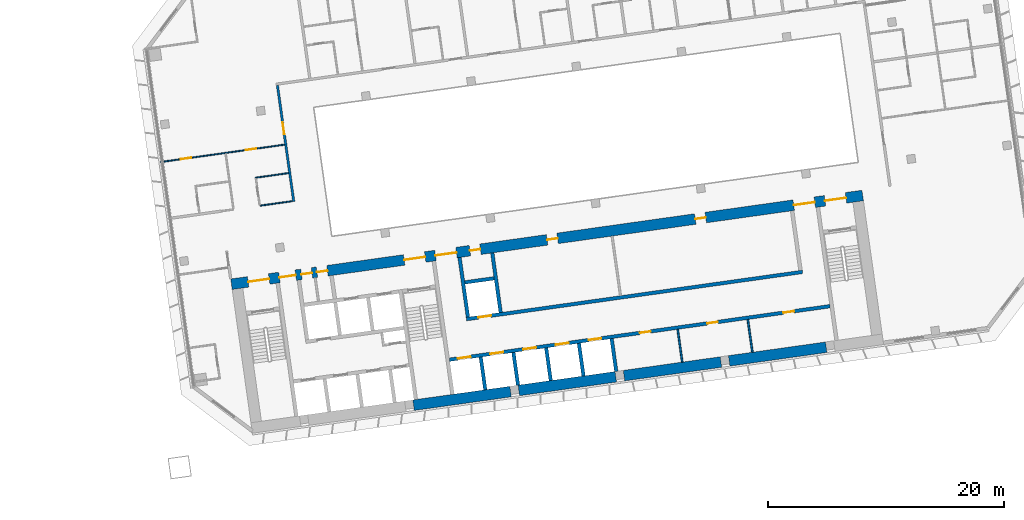
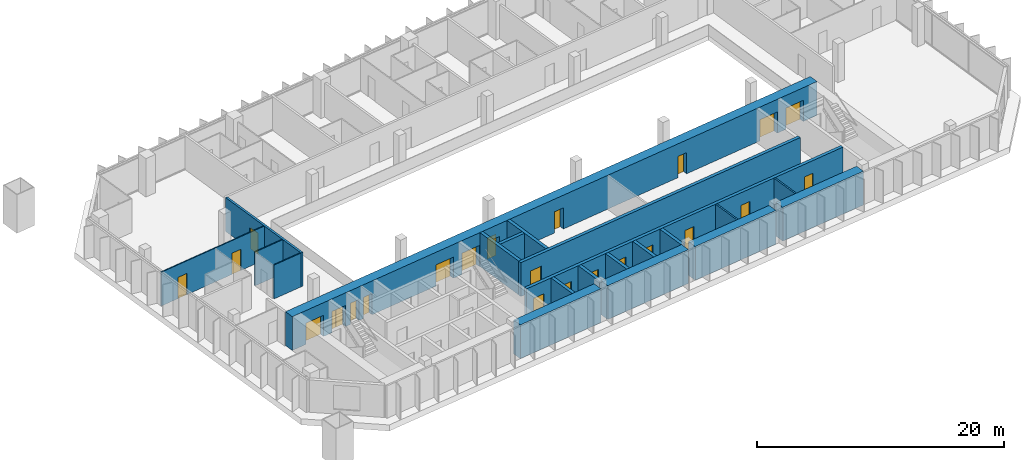
# One storey, part 20 of 25: 23 doors, 21 walls, 23 openings.
"""IFC4 building model written with IfcOpenShell, lengths in metres."""

from ifc_helpers import new_model, si_unit, direction, frame, frame_2d, origin, place, context, subcontext, project, spatial, rectangle, extrude, material, layer, layer_set, type_object, element, fill, save


model = new_model("IFC4")

# Units and contexts
model_context = context("Model", 3, precision=1e-05, world=origin(), true_north=direction((0.0, 1.0)))
body_context = subcontext(model_context, "Body", "Model", "MODEL_VIEW")
ifc_project = project(units=[si_unit("LENGTHUNIT", "METRE"), si_unit("AREAUNIT", "SQUARE_METRE"), si_unit("VOLUMEUNIT", "CUBIC_METRE"), si_unit("PLANEANGLEUNIT", "RADIAN"), si_unit("MASSUNIT", "GRAM", prefix="KILO")], contexts=[model_context])

# Site, building, storey
site_placement = place(None, origin())
site = spatial("IfcSite", under=ifc_project, at=site_placement, CompositionType="ELEMENT")
building_placement = place(site_placement, origin())
building = spatial("IfcBuilding", under=site, at=building_placement, Name="Mirante Cascada Hotel Towers", CompositionType="ELEMENT")
storey_placement = place(building_placement, frame((0.0, 0.0, 54.7)))
storey = spatial("IfcBuildingStorey", under=building, at=storey_placement, Name="L10", CompositionType="ELEMENT", Elevation=54.7)

# Wall, opening, door
ifc_material_1 = material(Name="Fire-rated plasterboard on metal studs")
ifc_layer_1 = layer(ifc_material_1, 0.2)
ifc_layer_set_1 = layer_set([ifc_layer_1], Name="Compartment wall 200 EI 120")
wall_type_1 = type_object("IfcWallType", Name="Compartment wall 200 EI 120", PredefinedType="PARTITIONING", material=ifc_layer_set_1)
wall_1_placement = place(storey_placement, frame((40.6028, -0.5604, 0.0), z_axis=(0.0, 0.0, 1.0), x_axis=(-0.1391655, 0.9902691, 0.0)))
wall_1 = element("IfcWall", 1, at=wall_1_placement, inside=storey, type_object=wall_type_1, Name="Wall 2-L10-37", PredefinedType="PARTITIONING", context=body_context, shape_type="SweptSolid", body=[
    extrude(rectangle(XDim=9.95, YDim=0.2, at=frame_2d((4.975, 0.0))), origin(), (0.0, 0.0, 1.0), 3.35),
])
opening_1_placement = place(wall_1_placement, frame((5.7666, 0.0, 0.0)))
opening_1 = element("IfcOpeningElement", 2, at=opening_1_placement, cuts=wall_1, Name="Opening D2-L10-31", PredefinedType="OPENING", context=body_context, shape_type="SweptSolid", body=[
    extrude(rectangle(XDim=1.0, YDim=2.1, at=frame_2d((0.5, 1.05))), frame((0.0, 0.1, 0.0), z_axis=(0.0, -1.0, 0.0), x_axis=(1.0, 0.0, 0.0)), (0.0, 0.0, 1.0), 0.2),
])
ifc_material_2 = material(Name="Fire-rated timber door leaf", Category="wood")
door_type_1 = type_object("IfcDoorType", Name="Entrance door DG1 1000x2100 EI 60", OperationType="SINGLE_SWING_LEFT", PredefinedType="DOOR", material=ifc_material_2)
door_1_placement = place(opening_1_placement, origin())
door_1 = element("IfcDoor", 3, at=door_1_placement, inside=storey, type_object=door_type_1, Name="Door D2-L10-31", OperationType="SINGLE_SWING_LEFT", OverallHeight=2.1, OverallWidth=1.0, PredefinedType="DOOR", context=body_context, shape_type="SweptSolid", body=[
    extrude(rectangle(XDim=1.0, YDim=2.1, at=frame_2d((0.5, 1.05))), frame((0.0, 0.025, 0.0), z_axis=(0.0, -1.0, 0.0), x_axis=(1.0, 0.0, 0.0)), (0.0, 0.0, 1.0), 0.05),
])
fill(opening_1, door_1)

# Walls
ifc_material_3 = material(Name="Masonry block", Category="masonry")
ifc_layer_2 = layer(ifc_material_3, 0.15)
ifc_layer_set_2 = layer_set([ifc_layer_2], Name="Core room partition 150 block EI 30")
wall_type_2 = type_object("IfcWallType", Name="Core room partition 150 block EI 30", PredefinedType="PARTITIONING", material=ifc_layer_set_2)
wall_2_placement = place(storey_placement, frame((73.5161, -14.1621, 0.0), z_axis=(0.0, 0.0, 1.0), x_axis=(-0.139176, 0.9902677, 0.0)))
element("IfcWall", 4, at=wall_2_placement, inside=storey, type_object=wall_type_2, Name="Core wall partition T2 L10 5", PredefinedType="PARTITIONING", context=body_context, shape_type="SweptSolid", body=[
    extrude(rectangle(XDim=2.8001, YDim=0.15, at=frame_2d((1.4, 0.0))), origin(), (0.0, 0.0, 1.0), 3.35),
])
wall_3_placement = place(storey_placement, frame((79.4577, -13.327, 0.0), z_axis=(0.0, 0.0, 1.0), x_axis=(-0.1391459, 0.9902719, 0.0)))
element("IfcWall", 5, at=wall_3_placement, inside=storey, type_object=wall_type_2, Name="Core wall partition T2 L10 6", PredefinedType="PARTITIONING", context=body_context, shape_type="SweptSolid", body=[
    extrude(rectangle(XDim=2.7999, YDim=0.15, at=frame_2d((1.4, 0.0))), origin(), (0.0, 0.0, 1.0), 3.35),
])
ifc_material_4 = material(Name="Plasterboard on metal studs")
ifc_layer_3 = layer(ifc_material_4, 0.1)
ifc_layer_set_3 = layer_set([ifc_layer_3], Name="Partition 100")
wall_type_3 = type_object("IfcWallType", Name="Partition 100", PredefinedType="PARTITIONING", material=ifc_layer_set_3)
wall_4_placement = place(storey_placement, frame((40.4671, -0.5289, 0.0), z_axis=(0.0, 0.0, 1.0), x_axis=(-0.9902645, -0.1391984, 0.0)))
element("IfcWall", 6, at=wall_4_placement, inside=storey, type_object=wall_type_3, Name="Wall 2-L10-06", PredefinedType="PARTITIONING", context=body_context, shape_type="SweptSolid", body=[
    extrude(rectangle(XDim=2.74, YDim=0.1, at=frame_2d((1.37, 0.0))), origin(), (0.0, 0.0, 1.0), 3.35),
])
wall_5_placement = place(storey_placement, frame((37.3406, 1.4552, 0.0), z_axis=(0.0, 0.0, 1.0), x_axis=(0.9902649, 0.1391957, 0.0)))
element("IfcWall", 7, at=wall_5_placement, inside=storey, type_object=wall_type_3, Name="Wall 2-L10-09", PredefinedType="PARTITIONING", context=body_context, shape_type="SweptSolid", body=[
    extrude(rectangle(XDim=2.8499, YDim=0.1, at=frame_2d((1.425, 0.0))), origin(), (0.0, 0.0, 1.0), 3.35),
])

# Wall, openings, doors
wall_6_placement = place(storey_placement, frame((39.8242, 4.2615, 0.0), z_axis=(0.0, 0.0, 1.0), x_axis=(-0.9902686, -0.1391691, 0.0)))
wall_6 = element("IfcWall", 8, at=wall_6_placement, inside=storey, type_object=wall_type_3, Name="Wall 2-L10-12", PredefinedType="PARTITIONING", context=body_context, shape_type="SweptSolid", body=[
    extrude(rectangle(XDim=10.6001, YDim=0.1, at=frame_2d((5.3, 0.0))), origin(), (0.0, 0.0, 1.0), 3.35),
])
opening_2_placement = place(wall_6_placement, frame((7.975, 0.0, 0.0)))
opening_2 = element("IfcOpeningElement", 9, at=opening_2_placement, cuts=wall_6, Name="Opening D2-L10-04", PredefinedType="OPENING", context=body_context, shape_type="SweptSolid", body=[
    extrude(rectangle(XDim=0.9, YDim=2.1, at=frame_2d((0.45, 1.05))), frame((0.0, 0.05, 0.0), z_axis=(0.0, -1.0, 0.0), x_axis=(1.0, 0.0, 0.0)), (0.0, 0.0, 1.0), 0.1),
])
opening_3_placement = place(wall_6_placement, frame((2.425, 0.0, 0.0)))
opening_3 = element("IfcOpeningElement", 10, at=opening_3_placement, cuts=wall_6, Name="Opening D2-L10-05", PredefinedType="OPENING", context=body_context, shape_type="SweptSolid", body=[
    extrude(rectangle(XDim=0.9, YDim=2.1, at=frame_2d((0.45, 1.05))), frame((0.0, 0.05, 0.0), z_axis=(0.0, -1.0, 0.0), x_axis=(1.0, 0.0, 0.0)), (0.0, 0.0, 1.0), 0.1),
])
ifc_material_5 = material(Name="Timber door leaf", Category="wood")
door_type_2 = type_object("IfcDoorType", Name="Room door DG3 900x2100", OperationType="SINGLE_SWING_LEFT", PredefinedType="DOOR", material=ifc_material_5)
door_2_placement = place(opening_2_placement, frame((0.9, 0.0, 0.0), z_axis=(0.0, 0.0, 1.0), x_axis=(-1.0, 0.0, 0.0)))
door_2 = element("IfcDoor", 11, at=door_2_placement, inside=storey, type_object=door_type_2, Name="Door D2-L10-04", OperationType="SINGLE_SWING_RIGHT", OverallHeight=2.1, OverallWidth=0.9, PredefinedType="DOOR", context=body_context, shape_type="SweptSolid", body=[
    extrude(rectangle(XDim=0.9, YDim=2.1, at=frame_2d((0.45, 1.05))), frame((0.0, 0.025, 0.0), z_axis=(0.0, -1.0, 0.0), x_axis=(1.0, 0.0, 0.0)), (0.0, 0.0, 1.0), 0.05),
])
fill(opening_2, door_2)
door_3_placement = place(opening_3_placement, frame((0.9, 0.0, 0.0), z_axis=(0.0, 0.0, 1.0), x_axis=(-1.0, 0.0, 0.0)))
door_3 = element("IfcDoor", 12, at=door_3_placement, inside=storey, type_object=door_type_2, Name="Door D2-L10-05", OperationType="SINGLE_SWING_RIGHT", OverallHeight=2.1, OverallWidth=0.9, PredefinedType="DOOR", context=body_context, shape_type="SweptSolid", body=[
    extrude(rectangle(XDim=0.9, YDim=2.1, at=frame_2d((0.45, 1.05))), frame((0.0, 0.025, 0.0), z_axis=(0.0, -1.0, 0.0), x_axis=(1.0, 0.0, 0.0)), (0.0, 0.0, 1.0), 0.05),
])
fill(opening_3, door_3)

ifc_material_6 = material(Name="Concrete C50/60", Category="concrete")
ifc_layer_4 = layer(ifc_material_6, 0.3)
ifc_layer_set_4 = layer_set([ifc_layer_4], Name="RC core wall 300 C50/60")
wall_type_4 = type_object("IfcWallType", Name="RC core wall 300 C50/60", PredefinedType="SHEAR", material=ifc_layer_set_4)
wall_7_placement = place(storey_placement, frame((53.7953, -13.9547, 0.0), z_axis=(0.0, 0.0, 1.0), x_axis=(0.990268, 0.1391733, 0.0)))
wall_7 = element("IfcWall", 13, at=wall_7_placement, inside=storey, type_object=wall_type_4, Name="Core wall T2:L10:25", PredefinedType="SHEAR", context=body_context, shape_type="SweptSolid", body=[
    extrude(rectangle(XDim=32.5501, YDim=0.3, at=frame_2d((16.275, 0.0))), origin(), (0.0, 0.0, 1.0), 3.35),
])
opening_4_placement = place(wall_7_placement, frame((0.7, 0.0, 0.0)))
opening_4 = element("IfcOpeningElement", 14, at=opening_4_placement, cuts=wall_7, Name="Opening LD", PredefinedType="OPENING", context=body_context, shape_type="SweptSolid", body=[
    extrude(rectangle(XDim=1.1, YDim=2.1, at=frame_2d((0.55, 1.05))), frame((0.0, 0.15, 0.0), z_axis=(0.0, -1.0, 0.0), x_axis=(1.0, 0.0, 0.0)), (0.0, 0.0, 1.0), 0.3),
])
opening_5_placement = place(wall_7_placement, frame((3.5, 0.0, 0.0)))
opening_5 = element("IfcOpeningElement", 15, at=opening_5_placement, cuts=wall_7, Name="Opening LD", PredefinedType="OPENING", context=body_context, shape_type="SweptSolid", body=[
    extrude(rectangle(XDim=1.1, YDim=2.1, at=frame_2d((0.55, 1.05))), frame((0.0, 0.15, 0.0), z_axis=(0.0, -1.0, 0.0), x_axis=(1.0, 0.0, 0.0)), (0.0, 0.0, 1.0), 0.3),
])
opening_6_placement = place(wall_7_placement, frame((6.3, 0.0, 0.0)))
opening_6 = element("IfcOpeningElement", 16, at=opening_6_placement, cuts=wall_7, Name="Opening LD", PredefinedType="OPENING", context=body_context, shape_type="SweptSolid", body=[
    extrude(rectangle(XDim=1.1, YDim=2.1, at=frame_2d((0.55, 1.05))), frame((0.0, 0.15, 0.0), z_axis=(0.0, -1.0, 0.0), x_axis=(1.0, 0.0, 0.0)), (0.0, 0.0, 1.0), 0.3),
])
opening_7_placement = place(wall_7_placement, frame((9.1, 0.0, 0.0)))
opening_7 = element("IfcOpeningElement", 17, at=opening_7_placement, cuts=wall_7, Name="Opening LD", PredefinedType="OPENING", context=body_context, shape_type="SweptSolid", body=[
    extrude(rectangle(XDim=1.1, YDim=2.1, at=frame_2d((0.55, 1.05))), frame((0.0, 0.15, 0.0), z_axis=(0.0, -1.0, 0.0), x_axis=(1.0, 0.0, 0.0)), (0.0, 0.0, 1.0), 0.3),
])
opening_8_placement = place(wall_7_placement, frame((11.9, 0.0, 0.0)))
opening_8 = element("IfcOpeningElement", 18, at=opening_8_placement, cuts=wall_7, Name="Opening LD", PredefinedType="OPENING", context=body_context, shape_type="SweptSolid", body=[
    extrude(rectangle(XDim=1.1, YDim=2.1, at=frame_2d((0.55, 1.05))), frame((0.0, 0.15, 0.0), z_axis=(0.0, -1.0, 0.0), x_axis=(1.0, 0.0, 0.0)), (0.0, 0.0, 1.0), 0.3),
])
opening_9_placement = place(wall_7_placement, frame((16.3, 0.0, 0.0)))
opening_9 = element("IfcOpeningElement", 19, at=opening_9_placement, cuts=wall_7, Name="Opening D2-10-C26", PredefinedType="OPENING", context=body_context, shape_type="SweptSolid", body=[
    extrude(rectangle(XDim=0.9, YDim=2.1, at=frame_2d((0.45, 1.05))), frame((0.0, 0.15, 0.0), z_axis=(0.0, -1.0, 0.0), x_axis=(1.0, 0.0, 0.0)), (0.0, 0.0, 1.0), 0.3),
])
opening_10_placement = place(wall_7_placement, frame((22.05, 0.0, 0.0)))
opening_10 = element("IfcOpeningElement", 20, at=opening_10_placement, cuts=wall_7, Name="Opening D2-10-C27", PredefinedType="OPENING", context=body_context, shape_type="SweptSolid", body=[
    extrude(rectangle(XDim=0.9, YDim=2.1, at=frame_2d((0.45, 1.05))), frame((0.0, 0.15, 0.0), z_axis=(0.0, -1.0, 0.0), x_axis=(1.0, 0.0, 0.0)), (0.0, 0.0, 1.0), 0.3),
])
opening_11_placement = place(wall_7_placement, frame((28.575, 0.0, 0.0)))
opening_11 = element("IfcOpeningElement", 21, at=opening_11_placement, cuts=wall_7, Name="Opening D2-10-C28", PredefinedType="OPENING", context=body_context, shape_type="SweptSolid", body=[
    extrude(rectangle(XDim=0.9, YDim=2.1, at=frame_2d((0.45, 1.05))), frame((0.0, 0.15, 0.0), z_axis=(0.0, -1.0, 0.0), x_axis=(1.0, 0.0, 0.0)), (0.0, 0.0, 1.0), 0.3),
])
ifc_material_7 = material(Name="Hollow metal fire door leaf")
door_type_3 = type_object("IfcDoorType", Name="Fire door 900x2100 FD60", OperationType="NOTDEFINED", PredefinedType="DOOR", material=ifc_material_7)
door_4_placement = place(opening_9_placement, frame((0.9, 0.0, 0.0), z_axis=(0.0, 0.0, 1.0), x_axis=(-1.0, 0.0, 0.0)))
door_4 = element("IfcDoor", 22, at=door_4_placement, inside=storey, type_object=door_type_3, Name="Room door T2 L10 26", OperationType="SINGLE_SWING_LEFT", OverallHeight=2.1, OverallWidth=0.9, PredefinedType="DOOR", context=body_context, shape_type="SweptSolid", body=[
    extrude(rectangle(XDim=0.9, YDim=2.1, at=frame_2d((0.45, 1.05))), frame((0.0, 0.025, 0.0), z_axis=(0.0, -1.0, 0.0), x_axis=(1.0, 0.0, 0.0)), (0.0, 0.0, 1.0), 0.05),
])
fill(opening_9, door_4)
door_5_placement = place(opening_10_placement, frame((0.9, 0.0, 0.0), z_axis=(0.0, 0.0, 1.0), x_axis=(-1.0, 0.0, 0.0)))
door_5 = element("IfcDoor", 23, at=door_5_placement, inside=storey, type_object=door_type_3, Name="Room door T2 L10 27", OperationType="SINGLE_SWING_RIGHT", OverallHeight=2.1, OverallWidth=0.9, PredefinedType="DOOR", context=body_context, shape_type="SweptSolid", body=[
    extrude(rectangle(XDim=0.9, YDim=2.1, at=frame_2d((0.45, 1.05))), frame((0.0, 0.025, 0.0), z_axis=(0.0, -1.0, 0.0), x_axis=(1.0, 0.0, 0.0)), (0.0, 0.0, 1.0), 0.05),
])
fill(opening_10, door_5)
door_6_placement = place(opening_11_placement, frame((0.9, 0.0, 0.0), z_axis=(0.0, 0.0, 1.0), x_axis=(-1.0, 0.0, 0.0)))
door_6 = element("IfcDoor", 24, at=door_6_placement, inside=storey, type_object=door_type_3, Name="Room door T2 L10 28", OperationType="SINGLE_SWING_RIGHT", OverallHeight=2.1, OverallWidth=0.9, PredefinedType="DOOR", context=body_context, shape_type="SweptSolid", body=[
    extrude(rectangle(XDim=0.9, YDim=2.1, at=frame_2d((0.45, 1.05))), frame((0.0, 0.025, 0.0), z_axis=(0.0, -1.0, 0.0), x_axis=(1.0, 0.0, 0.0)), (0.0, 0.0, 1.0), 0.05),
])
fill(opening_11, door_6)
ifc_material_8 = material(Name="Stainless steel", Category="steel")
door_type_4 = type_object("IfcDoorType", Name="Lift landing door 1100x2100 EI 120", OperationType="DOUBLE_DOOR_SLIDING", PredefinedType="DOOR", material=ifc_material_8)
door_7_placement = place(opening_4_placement, origin())
door_7 = element("IfcDoor", 25, at=door_7_placement, inside=storey, type_object=door_type_4, Name="Lift landing door LR2-1 L10", OperationType="DOUBLE_DOOR_SLIDING", OverallHeight=2.1, OverallWidth=1.1, PredefinedType="DOOR", context=body_context, shape_type="SweptSolid", body=[
    extrude(rectangle(XDim=0.545, YDim=2.1, at=frame_2d((0.2725, 1.05))), frame((0.0, 0.025, 0.0), z_axis=(0.0, -1.0, 0.0), x_axis=(1.0, 0.0, 0.0)), (0.0, 0.0, 1.0), 0.05),
    extrude(rectangle(XDim=0.545, YDim=2.1, at=frame_2d((0.8275, 1.05))), frame((0.0, 0.025, 0.0), z_axis=(0.0, -1.0, 0.0), x_axis=(1.0, 0.0, 0.0)), (0.0, 0.0, 1.0), 0.05),
])
fill(opening_4, door_7)
door_8_placement = place(opening_5_placement, origin())
door_8 = element("IfcDoor", 26, at=door_8_placement, inside=storey, type_object=door_type_4, Name="Lift landing door LR2-2 L10", OperationType="DOUBLE_DOOR_SLIDING", OverallHeight=2.1, OverallWidth=1.1, PredefinedType="DOOR", context=body_context, shape_type="SweptSolid", body=[
    extrude(rectangle(XDim=0.545, YDim=2.1, at=frame_2d((0.2725, 1.05))), frame((0.0, 0.025, 0.0), z_axis=(0.0, -1.0, 0.0), x_axis=(1.0, 0.0, 0.0)), (0.0, 0.0, 1.0), 0.05),
    extrude(rectangle(XDim=0.545, YDim=2.1, at=frame_2d((0.8275, 1.05))), frame((0.0, 0.025, 0.0), z_axis=(0.0, -1.0, 0.0), x_axis=(1.0, 0.0, 0.0)), (0.0, 0.0, 1.0), 0.05),
])
fill(opening_5, door_8)
door_9_placement = place(opening_6_placement, origin())
door_9 = element("IfcDoor", 27, at=door_9_placement, inside=storey, type_object=door_type_4, Name="Lift landing door SV2-1 L10", OperationType="DOUBLE_DOOR_SLIDING", OverallHeight=2.1, OverallWidth=1.1, PredefinedType="DOOR", context=body_context, shape_type="SweptSolid", body=[
    extrude(rectangle(XDim=0.545, YDim=2.1, at=frame_2d((0.2725, 1.05))), frame((0.0, 0.025, 0.0), z_axis=(0.0, -1.0, 0.0), x_axis=(1.0, 0.0, 0.0)), (0.0, 0.0, 1.0), 0.05),
    extrude(rectangle(XDim=0.545, YDim=2.1, at=frame_2d((0.8275, 1.05))), frame((0.0, 0.025, 0.0), z_axis=(0.0, -1.0, 0.0), x_axis=(1.0, 0.0, 0.0)), (0.0, 0.0, 1.0), 0.05),
])
fill(opening_6, door_9)
door_10_placement = place(opening_7_placement, origin())
door_10 = element("IfcDoor", 28, at=door_10_placement, inside=storey, type_object=door_type_4, Name="Lift landing door SV2-2 L10", OperationType="DOUBLE_DOOR_SLIDING", OverallHeight=2.1, OverallWidth=1.1, PredefinedType="DOOR", context=body_context, shape_type="SweptSolid", body=[
    extrude(rectangle(XDim=0.545, YDim=2.1, at=frame_2d((0.2725, 1.05))), frame((0.0, 0.025, 0.0), z_axis=(0.0, -1.0, 0.0), x_axis=(1.0, 0.0, 0.0)), (0.0, 0.0, 1.0), 0.05),
    extrude(rectangle(XDim=0.545, YDim=2.1, at=frame_2d((0.8275, 1.05))), frame((0.0, 0.025, 0.0), z_axis=(0.0, -1.0, 0.0), x_axis=(1.0, 0.0, 0.0)), (0.0, 0.0, 1.0), 0.05),
])
fill(opening_7, door_10)
door_11_placement = place(opening_8_placement, origin())
door_11 = element("IfcDoor", 29, at=door_11_placement, inside=storey, type_object=door_type_4, Name="Lift landing door SV2-3 L10", OperationType="DOUBLE_DOOR_SLIDING", OverallHeight=2.1, OverallWidth=1.1, PredefinedType="DOOR", context=body_context, shape_type="SweptSolid", body=[
    extrude(rectangle(XDim=0.545, YDim=2.1, at=frame_2d((0.2725, 1.05))), frame((0.0, 0.025, 0.0), z_axis=(0.0, -1.0, 0.0), x_axis=(1.0, 0.0, 0.0)), (0.0, 0.0, 1.0), 0.05),
    extrude(rectangle(XDim=0.545, YDim=2.1, at=frame_2d((0.8275, 1.05))), frame((0.0, 0.025, 0.0), z_axis=(0.0, -1.0, 0.0), x_axis=(1.0, 0.0, 0.0)), (0.0, 0.0, 1.0), 0.05),
])
fill(opening_8, door_11)

# Walls
for number, where, z_axis, x_axis, name in (
    (30, (56.8301, -16.5072, 0.0), (0.0, 0.0, 1.0), (-0.139176, 0.9902677, 0.0), "Core wall T2:L10:26"),
    (31, (59.6029, -16.1175, 0.0), (0.0, 0.0, 1.0), (-0.139176, 0.9902677, 0.0), "Core wall T2:L10:27"),
    (32, (62.3756, -15.7278, 0.0), (0.0, 0.0, 1.0), (-0.139176, 0.9902677, 0.0), "Core wall T2:L10:28"),
    (33, (65.1484, -15.3381, 0.0), (0.0, 0.0, 1.0), (-0.139176, 0.9902677, 0.0), "Core wall T2:L10:29"),
):
    element("IfcWall", number, at=place(storey_placement, frame(where, z_axis=z_axis, x_axis=x_axis)), inside=storey, type_object=wall_type_4, Name=name, PredefinedType="SHEAR", context=body_context, shape_type="SweptSolid", body=[
        extrude(rectangle(XDim=2.8001, YDim=0.3, at=frame_2d((1.4, 0.0))), origin(), (0.0, 0.0, 1.0), 3.35),
    ])
wall_8_placement = place(storey_placement, frame((67.9211, -14.9484, 0.0), z_axis=(0.0, 0.0, 1.0), x_axis=(-0.139181, 0.990267, 0.0)))
element("IfcWall", 34, at=wall_8_placement, inside=storey, type_object=wall_type_4, Name="Core wall T2:L10:30", PredefinedType="SHEAR", context=body_context, shape_type="SweptSolid", body=[
    extrude(rectangle(XDim=2.8, YDim=0.3, at=frame_2d((1.4, 0.0))), origin(), (0.0, 0.0, 1.0), 3.35),
])

# Wall, opening, door
wall_9_placement = place(storey_placement, frame((55.2315, -10.5214, 0.0), z_axis=(0.0, 0.0, 1.0), x_axis=(0.9902682, 0.1391722, 0.0)))
wall_9 = element("IfcWall", 35, at=wall_9_placement, inside=storey, type_object=wall_type_4, Name="Core wall T2:L10:33", PredefinedType="SHEAR", context=body_context, shape_type="SweptSolid", body=[
    extrude(rectangle(XDim=28.75, YDim=0.3, at=frame_2d((14.375, 0.0))), origin(), (0.0, 0.0, 1.0), 3.35),
])
opening_12_placement = place(wall_9_placement, frame((1.0, 0.0, 0.0)))
opening_12 = element("IfcOpeningElement", 36, at=opening_12_placement, cuts=wall_9, Name="Opening LD", PredefinedType="OPENING", context=body_context, shape_type="SweptSolid", body=[
    extrude(rectangle(XDim=1.1, YDim=2.1, at=frame_2d((0.55, 1.05))), frame((0.0, 0.15, 0.0), z_axis=(0.0, -1.0, 0.0), x_axis=(1.0, 0.0, 0.0)), (0.0, 0.0, 1.0), 0.3),
])
door_12_placement = place(opening_12_placement, origin())
door_12 = element("IfcDoor", 37, at=door_12_placement, inside=storey, type_object=door_type_4, Name="Lift landing door LR2-3 L10", OperationType="DOUBLE_DOOR_SLIDING", OverallHeight=2.1, OverallWidth=1.1, PredefinedType="DOOR", context=body_context, shape_type="SweptSolid", body=[
    extrude(rectangle(XDim=0.545, YDim=2.1, at=frame_2d((0.2725, 1.05))), frame((0.0, 0.025, 0.0), z_axis=(0.0, -1.0, 0.0), x_axis=(1.0, 0.0, 0.0)), (0.0, 0.0, 1.0), 0.05),
    extrude(rectangle(XDim=0.545, YDim=2.1, at=frame_2d((0.8275, 1.05))), frame((0.0, 0.025, 0.0), z_axis=(0.0, -1.0, 0.0), x_axis=(1.0, 0.0, 0.0)), (0.0, 0.0, 1.0), 0.05),
])
fill(opening_12, door_12)

# Walls
for number, where, z_axis, x_axis, name in (
    (38, (55.3592, -10.352, 0.0), (0.0, 0.0, 1.0), (-0.1391755, 0.9902677, 0.0), "Core wall T2:L10:34"),
    (39, (58.1319, -9.9623, 0.0), (0.0, 0.0, 1.0), (-0.1391755, 0.9902677, 0.0), "Core wall T2:L10:36"),
):
    element("IfcWall", number, at=place(storey_placement, frame(where, z_axis=z_axis, x_axis=x_axis)), inside=storey, type_object=wall_type_4, Name=name, PredefinedType="SHEAR", context=body_context, shape_type="SweptSolid", body=[
        extrude(rectangle(XDim=5.1, YDim=0.3, at=frame_2d((2.55, 0.0))), origin(), (0.0, 0.0, 1.0), 3.35),
    ])
wall_10_placement = place(storey_placement, frame((55.0971, -7.4098, 0.0), z_axis=(0.0, 0.0, 1.0), x_axis=(0.9902701, 0.1391586, 0.0)))
element("IfcWall", 40, at=wall_10_placement, inside=storey, type_object=wall_type_4, Name="Core wall T2:L10:37", PredefinedType="SHEAR", context=body_context, shape_type="SweptSolid", body=[
    extrude(rectangle(XDim=2.5, YDim=0.3, at=frame_2d((1.25, 0.0))), origin(), (0.0, 0.0, 1.0), 3.35),
])
ifc_material_9 = material(Name="Concrete C50/60", Category="concrete")
ifc_layer_5 = layer(ifc_material_9, 0.9)
ifc_layer_set_5 = layer_set([ifc_layer_5], Name="RC core wall 900 C50/60")
wall_type_5 = type_object("IfcWallType", Name="RC core wall 900 C50/60", PredefinedType="SHEAR", material=ifc_layer_set_5)
for number, where, z_axis, x_axis, name in (
    (41, (50.7531, -17.8156, 0.0), (0.0, 0.0, 1.0), (0.9902686, 0.1391692, 0.0), "Core wall T2:L10:1.3"),
    (42, (59.6655, -16.5631, 0.0), (0.0, 0.0, 1.0), (0.9902686, 0.1391692, 0.0), "Core wall T2:L10:1.4"),
    (43, (68.5779, -15.3105, 0.0), (0.0, 0.0, 1.0), (0.9902686, 0.1391692, 0.0), "Core wall T2:L10:1.5"),
    (44, (77.4903, -14.058, 0.0), (0.0, 0.0, 1.0), (0.990267, 0.139181, 0.0), "Core wall T2:L10:1.6"),
):
    element("IfcWall", number, at=place(storey_placement, frame(where, z_axis=z_axis, x_axis=x_axis)), inside=storey, type_object=wall_type_5, Name=name, PredefinedType="SHEAR", context=body_context, shape_type="SweptSolid", body=[
        extrude(rectangle(XDim=8.3, YDim=0.9, at=frame_2d((4.15, 0.0))), origin(), (0.0, 0.0, 1.0), 3.35),
    ])

# Wall, openings, doors
wall_11_placement = place(storey_placement, frame((35.326, -7.5629, 0.0), z_axis=(0.0, 0.0, 1.0), x_axis=(0.9902679, 0.139174, 0.0)))
wall_11 = element("IfcWall", 45, at=wall_11_placement, inside=storey, type_object=wall_type_5, Name="Core wall T2:L10:2", PredefinedType="SHEAR", context=body_context, shape_type="SweptSolid", body=[
    extrude(rectangle(XDim=54.0, YDim=0.9, at=frame_2d((27.0, 0.0))), origin(), (0.0, 0.0, 1.0), 3.35),
])
opening_13_placement = place(wall_11_placement, frame((1.425, 0.0, 0.0)))
opening_13 = element("IfcOpeningElement", 46, at=opening_13_placement, cuts=wall_11, Name="Opening D2-10-C14", PredefinedType="OPENING", context=body_context, shape_type="SweptSolid", body=[
    extrude(rectangle(XDim=1.8, YDim=2.1, at=frame_2d((0.9, 1.05))), frame((0.0, 0.45, 0.0), z_axis=(0.0, -1.0, 0.0), x_axis=(1.0, 0.0, 0.0)), (0.0, 0.0, 1.0), 0.9),
])
opening_14_placement = place(wall_11_placement, frame((14.775, 0.0, 0.0)))
opening_14 = element("IfcOpeningElement", 47, at=opening_14_placement, cuts=wall_11, Name="Opening D2-10-C16", PredefinedType="OPENING", context=body_context, shape_type="SweptSolid", body=[
    extrude(rectangle(XDim=1.8, YDim=2.1, at=frame_2d((0.9, 1.05))), frame((0.0, 0.45, 0.0), z_axis=(0.0, -1.0, 0.0), x_axis=(1.0, 0.0, 0.0)), (0.0, 0.0, 1.0), 0.9),
])
opening_15_placement = place(wall_11_placement, frame((50.775, 0.0, 0.0)))
opening_15 = element("IfcOpeningElement", 48, at=opening_15_placement, cuts=wall_11, Name="Opening D2-10-C18", PredefinedType="OPENING", context=body_context, shape_type="SweptSolid", body=[
    extrude(rectangle(XDim=1.8, YDim=2.1, at=frame_2d((0.9, 1.05))), frame((0.0, 0.45, 0.0), z_axis=(0.0, -1.0, 0.0), x_axis=(1.0, 0.0, 0.0)), (0.0, 0.0, 1.0), 0.9),
])
opening_16_placement = place(wall_11_placement, frame((4.1, 0.0, 0.0)))
opening_16 = element("IfcOpeningElement", 49, at=opening_16_placement, cuts=wall_11, Name="Opening D2-10-C19", PredefinedType="OPENING", context=body_context, shape_type="SweptSolid", body=[
    extrude(rectangle(XDim=1.4, YDim=2.1, at=frame_2d((0.7, 1.05))), frame((0.0, 0.45, 0.0), z_axis=(0.0, -1.0, 0.0), x_axis=(1.0, 0.0, 0.0)), (0.0, 0.0, 1.0), 0.9),
])
opening_17_placement = place(wall_11_placement, frame((17.45, 0.0, 0.0)))
opening_17 = element("IfcOpeningElement", 50, at=opening_17_placement, cuts=wall_11, Name="Opening D2-10-C20", PredefinedType="OPENING", context=body_context, shape_type="SweptSolid", body=[
    extrude(rectangle(XDim=1.8, YDim=2.1, at=frame_2d((0.9, 1.05))), frame((0.0, 0.45, 0.0), z_axis=(0.0, -1.0, 0.0), x_axis=(1.0, 0.0, 0.0)), (0.0, 0.0, 1.0), 0.9),
])
opening_18_placement = place(wall_11_placement, frame((48.1, 0.0, 0.0)))
opening_18 = element("IfcOpeningElement", 51, at=opening_18_placement, cuts=wall_11, Name="Opening D2-10-C21", PredefinedType="OPENING", context=body_context, shape_type="SweptSolid", body=[
    extrude(rectangle(XDim=1.8, YDim=2.1, at=frame_2d((0.9, 1.05))), frame((0.0, 0.45, 0.0), z_axis=(0.0, -1.0, 0.0), x_axis=(1.0, 0.0, 0.0)), (0.0, 0.0, 1.0), 0.9),
])
opening_19_placement = place(wall_11_placement, frame((5.9875, 0.0, 0.0)))
opening_19 = element("IfcOpeningElement", 52, at=opening_19_placement, cuts=wall_11, Name="Opening D2-10-C24", PredefinedType="OPENING", context=body_context, shape_type="SweptSolid", body=[
    extrude(rectangle(XDim=0.9, YDim=2.1, at=frame_2d((0.45, 1.05))), frame((0.0, 0.45, 0.0), z_axis=(0.0, -1.0, 0.0), x_axis=(1.0, 0.0, 0.0)), (0.0, 0.0, 1.0), 0.9),
])
opening_20_placement = place(wall_11_placement, frame((7.3125, 0.0, 0.0)))
opening_20 = element("IfcOpeningElement", 53, at=opening_20_placement, cuts=wall_11, Name="Opening D2-10-C25", PredefinedType="OPENING", context=body_context, shape_type="SweptSolid", body=[
    extrude(rectangle(XDim=0.9, YDim=2.1, at=frame_2d((0.45, 1.05))), frame((0.0, 0.45, 0.0), z_axis=(0.0, -1.0, 0.0), x_axis=(1.0, 0.0, 0.0)), (0.0, 0.0, 1.0), 0.9),
])
opening_21_placement = place(wall_11_placement, frame((20.4, 0.0, 0.0)))
opening_21 = element("IfcOpeningElement", 54, at=opening_21_placement, cuts=wall_11, Name="Opening D2-10-C29", PredefinedType="OPENING", context=body_context, shape_type="SweptSolid", body=[
    extrude(rectangle(XDim=0.9, YDim=2.1, at=frame_2d((0.45, 1.05))), frame((0.0, 0.45, 0.0), z_axis=(0.0, -1.0, 0.0), x_axis=(1.0, 0.0, 0.0)), (0.0, 0.0, 1.0), 0.9),
])
opening_22_placement = place(wall_11_placement, frame((27.0, 0.0, 0.0)))
opening_22 = element("IfcOpeningElement", 55, at=opening_22_placement, cuts=wall_11, Name="Opening D2-10-C30", PredefinedType="OPENING", context=body_context, shape_type="SweptSolid", body=[
    extrude(rectangle(XDim=0.9, YDim=2.1, at=frame_2d((0.45, 1.05))), frame((0.0, 0.45, 0.0), z_axis=(0.0, -1.0, 0.0), x_axis=(1.0, 0.0, 0.0)), (0.0, 0.0, 1.0), 0.9),
])
opening_23_placement = place(wall_11_placement, frame((39.675, 0.0, 0.0)))
opening_23 = element("IfcOpeningElement", 56, at=opening_23_placement, cuts=wall_11, Name="Opening D2-10-C31", PredefinedType="OPENING", context=body_context, shape_type="SweptSolid", body=[
    extrude(rectangle(XDim=0.9, YDim=2.1, at=frame_2d((0.45, 1.05))), frame((0.0, 0.45, 0.0), z_axis=(0.0, -1.0, 0.0), x_axis=(1.0, 0.0, 0.0)), (0.0, 0.0, 1.0), 0.9),
])
ifc_material_10 = material(Name="Hollow metal fire door leaf")
door_type_5 = type_object("IfcDoorType", Name="Double fire door 1400x2100 FD60", OperationType="DOUBLE_DOOR_SINGLE_SWING", PredefinedType="DOOR", material=ifc_material_10)
door_13_placement = place(opening_16_placement, origin())
door_13 = element("IfcDoor", 57, at=door_13_placement, inside=storey, type_object=door_type_5, Name="Exit door to gallery T2 L10 19", OperationType="DOUBLE_DOOR_SINGLE_SWING", OverallHeight=2.1, OverallWidth=1.4, PredefinedType="DOOR", context=body_context, shape_type="SweptSolid", body=[
    extrude(rectangle(XDim=0.695, YDim=2.1, at=frame_2d((0.3475, 1.05))), frame((0.0, 0.025, 0.0), z_axis=(0.0, -1.0, 0.0), x_axis=(1.0, 0.0, 0.0)), (0.0, 0.0, 1.0), 0.05),
    extrude(rectangle(XDim=0.695, YDim=2.1, at=frame_2d((1.0525, 1.05))), frame((0.0, 0.025, 0.0), z_axis=(0.0, -1.0, 0.0), x_axis=(1.0, 0.0, 0.0)), (0.0, 0.0, 1.0), 0.05),
])
fill(opening_16, door_13)
ifc_material_11 = material(Name="Hollow metal fire door leaf")
door_type_6 = type_object("IfcDoorType", Name="Double fire door 1800x2100 FD60", OperationType="DOUBLE_DOOR_SINGLE_SWING", PredefinedType="DOOR", material=ifc_material_11)
door_14_placement = place(opening_13_placement, frame((1.8, 0.0, 0.0), z_axis=(0.0, 0.0, 1.0), x_axis=(-1.0, 0.0, 0.0)))
door_14 = element("IfcDoor", 58, at=door_14_placement, inside=storey, type_object=door_type_6, Name="Exit door to gallery T2 L10 14", OperationType="DOUBLE_DOOR_SINGLE_SWING", OverallHeight=2.1, OverallWidth=1.8, PredefinedType="DOOR", context=body_context, shape_type="SweptSolid", body=[
    extrude(rectangle(XDim=0.895, YDim=2.1, at=frame_2d((0.4475, 1.05))), frame((0.0, 0.025, 0.0), z_axis=(0.0, -1.0, 0.0), x_axis=(1.0, 0.0, 0.0)), (0.0, 0.0, 1.0), 0.05),
    extrude(rectangle(XDim=0.895, YDim=2.1, at=frame_2d((1.3525, 1.05))), frame((0.0, 0.025, 0.0), z_axis=(0.0, -1.0, 0.0), x_axis=(1.0, 0.0, 0.0)), (0.0, 0.0, 1.0), 0.05),
])
fill(opening_13, door_14)
door_15_placement = place(opening_14_placement, frame((1.8, 0.0, 0.0), z_axis=(0.0, 0.0, 1.0), x_axis=(-1.0, 0.0, 0.0)))
door_15 = element("IfcDoor", 59, at=door_15_placement, inside=storey, type_object=door_type_6, Name="Exit door to gallery T2 L10 16", OperationType="DOUBLE_DOOR_SINGLE_SWING", OverallHeight=2.1, OverallWidth=1.8, PredefinedType="DOOR", context=body_context, shape_type="SweptSolid", body=[
    extrude(rectangle(XDim=0.895, YDim=2.1, at=frame_2d((0.4475, 1.05))), frame((0.0, 0.025, 0.0), z_axis=(0.0, -1.0, 0.0), x_axis=(1.0, 0.0, 0.0)), (0.0, 0.0, 1.0), 0.05),
    extrude(rectangle(XDim=0.895, YDim=2.1, at=frame_2d((1.3525, 1.05))), frame((0.0, 0.025, 0.0), z_axis=(0.0, -1.0, 0.0), x_axis=(1.0, 0.0, 0.0)), (0.0, 0.0, 1.0), 0.05),
])
fill(opening_14, door_15)
door_16_placement = place(opening_15_placement, frame((1.8, 0.0, 0.0), z_axis=(0.0, 0.0, 1.0), x_axis=(-1.0, 0.0, 0.0)))
door_16 = element("IfcDoor", 60, at=door_16_placement, inside=storey, type_object=door_type_6, Name="Exit door to gallery T2 L10 18", OperationType="DOUBLE_DOOR_SINGLE_SWING", OverallHeight=2.1, OverallWidth=1.8, PredefinedType="DOOR", context=body_context, shape_type="SweptSolid", body=[
    extrude(rectangle(XDim=0.895, YDim=2.1, at=frame_2d((0.4475, 1.05))), frame((0.0, 0.025, 0.0), z_axis=(0.0, -1.0, 0.0), x_axis=(1.0, 0.0, 0.0)), (0.0, 0.0, 1.0), 0.05),
    extrude(rectangle(XDim=0.895, YDim=2.1, at=frame_2d((1.3525, 1.05))), frame((0.0, 0.025, 0.0), z_axis=(0.0, -1.0, 0.0), x_axis=(1.0, 0.0, 0.0)), (0.0, 0.0, 1.0), 0.05),
])
fill(opening_15, door_16)
door_17_placement = place(opening_17_placement, origin())
door_17 = element("IfcDoor", 61, at=door_17_placement, inside=storey, type_object=door_type_6, Name="Exit door to gallery T2 L10 20", OperationType="DOUBLE_DOOR_SINGLE_SWING", OverallHeight=2.1, OverallWidth=1.8, PredefinedType="DOOR", context=body_context, shape_type="SweptSolid", body=[
    extrude(rectangle(XDim=0.895, YDim=2.1, at=frame_2d((0.4475, 1.05))), frame((0.0, 0.025, 0.0), z_axis=(0.0, -1.0, 0.0), x_axis=(1.0, 0.0, 0.0)), (0.0, 0.0, 1.0), 0.05),
    extrude(rectangle(XDim=0.895, YDim=2.1, at=frame_2d((1.3525, 1.05))), frame((0.0, 0.025, 0.0), z_axis=(0.0, -1.0, 0.0), x_axis=(1.0, 0.0, 0.0)), (0.0, 0.0, 1.0), 0.05),
])
fill(opening_17, door_17)
door_18_placement = place(opening_18_placement, origin())
door_18 = element("IfcDoor", 62, at=door_18_placement, inside=storey, type_object=door_type_6, Name="Exit door to gallery T2 L10 21", OperationType="DOUBLE_DOOR_SINGLE_SWING", OverallHeight=2.1, OverallWidth=1.8, PredefinedType="DOOR", context=body_context, shape_type="SweptSolid", body=[
    extrude(rectangle(XDim=0.895, YDim=2.1, at=frame_2d((0.4475, 1.05))), frame((0.0, 0.025, 0.0), z_axis=(0.0, -1.0, 0.0), x_axis=(1.0, 0.0, 0.0)), (0.0, 0.0, 1.0), 0.05),
    extrude(rectangle(XDim=0.895, YDim=2.1, at=frame_2d((1.3525, 1.05))), frame((0.0, 0.025, 0.0), z_axis=(0.0, -1.0, 0.0), x_axis=(1.0, 0.0, 0.0)), (0.0, 0.0, 1.0), 0.05),
])
fill(opening_18, door_18)
door_19_placement = place(opening_19_placement, frame((0.9, 0.0, 0.0), z_axis=(0.0, 0.0, 1.0), x_axis=(-1.0, 0.0, 0.0)))
door_19 = element("IfcDoor", 63, at=door_19_placement, inside=storey, type_object=door_type_3, Name="Room door T2 L10 24", OperationType="SINGLE_SWING_LEFT", OverallHeight=2.1, OverallWidth=0.9, PredefinedType="DOOR", context=body_context, shape_type="SweptSolid", body=[
    extrude(rectangle(XDim=0.9, YDim=2.1, at=frame_2d((0.45, 1.05))), frame((0.0, 0.025, 0.0), z_axis=(0.0, -1.0, 0.0), x_axis=(1.0, 0.0, 0.0)), (0.0, 0.0, 1.0), 0.05),
])
fill(opening_19, door_19)
door_20_placement = place(opening_20_placement, frame((0.9, 0.0, 0.0), z_axis=(0.0, 0.0, 1.0), x_axis=(-1.0, 0.0, 0.0)))
door_20 = element("IfcDoor", 64, at=door_20_placement, inside=storey, type_object=door_type_3, Name="Room door T2 L10 25", OperationType="SINGLE_SWING_LEFT", OverallHeight=2.1, OverallWidth=0.9, PredefinedType="DOOR", context=body_context, shape_type="SweptSolid", body=[
    extrude(rectangle(XDim=0.9, YDim=2.1, at=frame_2d((0.45, 1.05))), frame((0.0, 0.025, 0.0), z_axis=(0.0, -1.0, 0.0), x_axis=(1.0, 0.0, 0.0)), (0.0, 0.0, 1.0), 0.05),
])
fill(opening_20, door_20)
door_21_placement = place(opening_21_placement, frame((0.9, 0.0, 0.0), z_axis=(0.0, 0.0, 1.0), x_axis=(-1.0, 0.0, 0.0)))
door_21 = element("IfcDoor", 65, at=door_21_placement, inside=storey, type_object=door_type_3, Name="Room door T2 L10 29", OperationType="SINGLE_SWING_LEFT", OverallHeight=2.1, OverallWidth=0.9, PredefinedType="DOOR", context=body_context, shape_type="SweptSolid", body=[
    extrude(rectangle(XDim=0.9, YDim=2.1, at=frame_2d((0.45, 1.05))), frame((0.0, 0.025, 0.0), z_axis=(0.0, -1.0, 0.0), x_axis=(1.0, 0.0, 0.0)), (0.0, 0.0, 1.0), 0.05),
])
fill(opening_21, door_21)
door_22_placement = place(opening_22_placement, frame((0.9, 0.0, 0.0), z_axis=(0.0, 0.0, 1.0), x_axis=(-1.0, 0.0, 0.0)))
door_22 = element("IfcDoor", 66, at=door_22_placement, inside=storey, type_object=door_type_3, Name="Room door T2 L10 30", OperationType="SINGLE_SWING_LEFT", OverallHeight=2.1, OverallWidth=0.9, PredefinedType="DOOR", context=body_context, shape_type="SweptSolid", body=[
    extrude(rectangle(XDim=0.9, YDim=2.1, at=frame_2d((0.45, 1.05))), frame((0.0, 0.025, 0.0), z_axis=(0.0, -1.0, 0.0), x_axis=(1.0, 0.0, 0.0)), (0.0, 0.0, 1.0), 0.05),
])
fill(opening_22, door_22)
door_23_placement = place(opening_23_placement, frame((0.9, 0.0, 0.0), z_axis=(0.0, 0.0, 1.0), x_axis=(-1.0, 0.0, 0.0)))
door_23 = element("IfcDoor", 67, at=door_23_placement, inside=storey, type_object=door_type_3, Name="Room door T2 L10 31", OperationType="SINGLE_SWING_RIGHT", OverallHeight=2.1, OverallWidth=0.9, PredefinedType="DOOR", context=body_context, shape_type="SweptSolid", body=[
    extrude(rectangle(XDim=0.9, YDim=2.1, at=frame_2d((0.45, 1.05))), frame((0.0, 0.025, 0.0), z_axis=(0.0, -1.0, 0.0), x_axis=(1.0, 0.0, 0.0)), (0.0, 0.0, 1.0), 0.05),
])
fill(opening_23, door_23)

save(model, "model.ifc")
